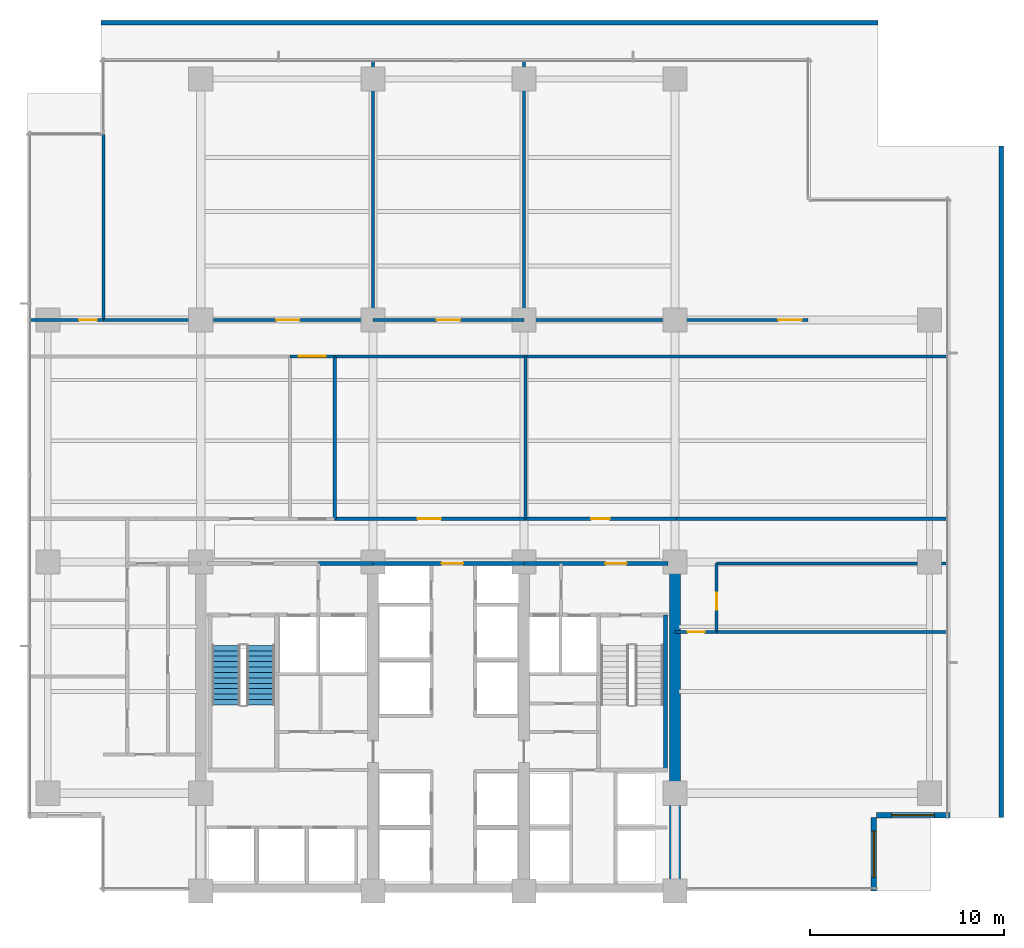
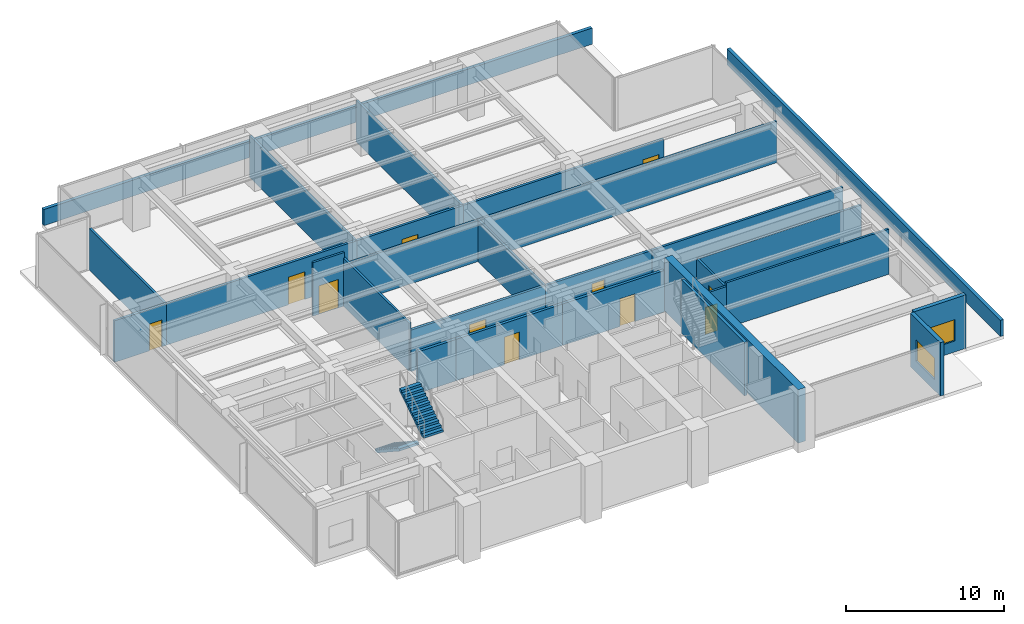
# One storey, part 10 of 16: 27 walls, 11 doors, 2 stair flights, 2 windows, 13 openings, 1 element without a shape of its own.
"""IFC4 building model written with IfcOpenShell, lengths in metres."""

from ifc_helpers import new_model, si_unit, direction, frame, frame_2d, origin, place, context, subcontext, project, spatial, polyline, rectangle, outline, extrude, material, layer, layer_set, type_object, element, fill, aggregate, save


model = new_model("IFC4")

# Units and contexts
model_context = context("Model", 3, precision=1e-05, world=origin(), true_north=direction((0.0, 1.0)))
body_context = subcontext(model_context, "Body", "Model", "MODEL_VIEW")
ifc_project = project(units=[si_unit("LENGTHUNIT", "METRE"), si_unit("AREAUNIT", "SQUARE_METRE"), si_unit("VOLUMEUNIT", "CUBIC_METRE"), si_unit("PLANEANGLEUNIT", "RADIAN"), si_unit("MASSUNIT", "GRAM", prefix="KILO")], contexts=[model_context])

# Site, building, storey
site_placement = place(None, origin())
site = spatial("IfcSite", under=ifc_project, at=site_placement, CompositionType="ELEMENT")
building_placement = place(site_placement, origin())
building = spatial("IfcBuilding", under=site, at=building_placement, Name="Qalmaran Belvedere Hotel", CompositionType="ELEMENT")
storey_placement = place(building_placement, frame((0.0, 0.0, 83.800048828125)))
storey = spatial("IfcBuildingStorey", under=building, at=storey_placement, Name="L20", CompositionType="ELEMENT", Elevation=83.800048828125)

# Wall
ifc_material_1 = material(Name="Concrete C60/75", Category="concrete")
ifc_layer_1 = layer(ifc_material_1, 0.550048828125, Name="Concrete C60/75")
ifc_layer_set_1 = layer_set([ifc_layer_1], Name="Concrete C60/75")
wall_type_1 = type_object("IfcWallType", Name="WL-CORE-550-C60", PredefinedType="SHEAR", material=ifc_layer_set_1)
wall_1_placement = place(storey_placement, frame((44.800048828125, 3.5, 0.0), z_axis=(0.0, 0.0, 1.0), x_axis=(0.0, 1.0, 0.0)))
element("IfcWall", 1, at=wall_1_placement, inside=storey, type_object=wall_type_1, Name="L20 East Core Shear Wall", PredefinedType="SHEAR", context=body_context, shape_type="SweptSolid", body=[
    extrude(rectangle(XDim=16.89990234375, YDim=0.550048828125, at=frame_2d((8.449951171875, 0.0))), origin(), (0.0, 0.0, 1.0), 4.139892578125),
])

# Wall, opening, window
ifc_material_2 = material(Name="Anodised Bronze Cladding")
ifc_layer_2 = layer(ifc_material_2, 0.280029296875, Name="Anodised Bronze Cladding")
ifc_layer_set_2 = layer_set([ifc_layer_2], Name="Anodised Bronze Cladding")
wall_type_2 = type_object("IfcWallType", Name="WL-EXT-BRNZ-280", PredefinedType="SOLIDWALL", material=ifc_layer_set_2)
wall_2_placement = place(storey_placement, frame((55.080078125, 3.5, 0.0), z_axis=(0.0, 0.0, 1.0), x_axis=(0.0, 1.0, 0.0)))
wall_2 = element("IfcWall", 2, at=wall_2_placement, inside=storey, type_object=wall_type_2, Name="L20 Corner Notch Wall 1", PredefinedType="SOLIDWALL", context=body_context, shape_type="SweptSolid", body=[
    extrude(rectangle(XDim=3.800048828125, YDim=0.280029296875, at=frame_2d((1.89990234375, 0.0))), origin(), (0.0, 0.0, 1.0), 4.139892578125),
])
opening_1_placement = place(wall_2_placement, frame((0.699951171875, 0.0, 0.85009765625)))
opening_1 = element("IfcOpeningElement", 3, at=opening_1_placement, cuts=wall_2, Name="Opening W-N24", PredefinedType="OPENING", context=body_context, shape_type="SweptSolid", body=[
    extrude(rectangle(XDim=2.39990234375, YDim=1.64990234375, at=frame_2d((1.199951171875, 0.824951171875))), frame((0.0, 0.14990234375, 0.0), z_axis=(0.0, -1.0, 0.0), x_axis=(1.0, 0.0, 0.0)), (0.0, 0.0, 1.0), 0.300048828125),
])
ifc_material_3 = material(Name="Solar-Control Double Glazing", Category="glass")
window_type_1 = type_object("IfcWindowType", Name="WN-NTC-2400X1650", PartitioningType="SINGLE_PANEL", PredefinedType="WINDOW", material=ifc_material_3)
window_1_placement = place(opening_1_placement, origin())
window_1 = element("IfcWindow", 4, at=window_1_placement, inside=storey, type_object=window_type_1, Name="L20 Corner Notch Window 1", OverallHeight=1.64990234375, OverallWidth=2.39990234375, PartitioningType="SINGLE_PANEL", PredefinedType="WINDOW", context=body_context, shape_type="SweptSolid", body=[
    extrude(rectangle(XDim=2.39990234375, YDim=1.64990234375, at=frame_2d((1.199951171875, 0.824951171875))), frame((0.0, 0.030029296875, 0.0), z_axis=(0.0, -1.0, 0.0), x_axis=(1.0, 0.0, 0.0)), (0.0, 0.0, 1.0), 0.06005859375),
])
fill(opening_1, window_1)

wall_3_placement = place(storey_placement, frame((55.199951171875, 7.419921875, 0.0), z_axis=(0.0, 0.0, 1.0), x_axis=(1.0, 0.0, 0.0)))
wall_3 = element("IfcWall", 5, at=wall_3_placement, inside=storey, type_object=wall_type_2, Name="L20 Corner Notch Wall 2", PredefinedType="SOLIDWALL", context=body_context, shape_type="SweptSolid", body=[
    extrude(rectangle(XDim=3.800048828125, YDim=0.280029296875, at=frame_2d((1.89990234375, 0.0))), origin(), (0.0, 0.0, 1.0), 4.139892578125),
])
opening_2_placement = place(wall_3_placement, frame((0.800048828125, 0.0, 0.85009765625)))
opening_2 = element("IfcOpeningElement", 6, at=opening_2_placement, cuts=wall_3, Name="Opening W-N22", PredefinedType="OPENING", context=body_context, shape_type="SweptSolid", body=[
    extrude(rectangle(XDim=2.199951171875, YDim=1.64990234375, at=frame_2d((1.10009765625, 0.824951171875))), frame((0.0, 0.14990234375, 0.0), z_axis=(0.0, -1.0, 0.0), x_axis=(1.0, 0.0, 0.0)), (0.0, 0.0, 1.0), 0.300048828125),
])
window_type_2 = type_object("IfcWindowType", Name="WN-NTC-2200X1650", PartitioningType="SINGLE_PANEL", PredefinedType="WINDOW", material=ifc_material_3)
window_2_placement = place(opening_2_placement, origin())
window_2 = element("IfcWindow", 7, at=window_2_placement, inside=storey, type_object=window_type_2, Name="L20 Corner Notch Window 2", OverallHeight=1.64990234375, OverallWidth=2.199951171875, PartitioningType="SINGLE_PANEL", PredefinedType="WINDOW", context=body_context, shape_type="SweptSolid", body=[
    extrude(rectangle(XDim=2.199951171875, YDim=1.64990234375, at=frame_2d((1.10009765625, 0.824951171875))), frame((0.0, 0.030029296875, 0.0), z_axis=(0.0, -1.0, 0.0), x_axis=(1.0, 0.0, 0.0)), (0.0, 0.0, 1.0), 0.06005859375),
])
fill(opening_2, window_2)

# Wall, opening, door
ifc_material_4 = material(Name="Gypsum Stud Partition")
ifc_layer_3 = layer(ifc_material_4, 0.159912109375, Name="Gypsum Stud Partition")
ifc_layer_set_3 = layer_set([ifc_layer_3], Name="Gypsum Stud Partition")
wall_type_3 = type_object("IfcWallType", Name="WL-INT-160-EI60", PredefinedType="PARTITIONING", material=ifc_layer_set_3)
wall_4_placement = place(storey_placement, frame((44.800048828125, 16.8798828125, 0.0), z_axis=(0.0, 0.0, 1.0), x_axis=(1.0, 0.0, 0.0)))
wall_4 = element("IfcWall", 8, at=wall_4_placement, inside=storey, type_object=wall_type_3, Name="L20 Partition WL-L20-ECE", PredefinedType="PARTITIONING", context=body_context, shape_type="SweptSolid", body=[
    extrude(rectangle(XDim=2.14990234375, YDim=0.159912109375, at=frame_2d((1.074951171875, 0.0))), origin(), (0.0, 0.0, 1.0), 3.212890625),
])
opening_3_placement = place(wall_4_placement, frame((1.52978515625, 0.0, 0.0), z_axis=(0.0, 0.0, 1.0), x_axis=(-1.0, 0.0, 0.0)))
opening_3 = element("IfcOpeningElement", 9, at=opening_3_placement, cuts=wall_4, Name="Opening FD60B", PredefinedType="OPENING", context=body_context, shape_type="SweptSolid", body=[
    extrude(rectangle(XDim=0.8798828125, YDim=2.080078125, at=frame_2d((0.43994140625, 1.0400390625))), frame((0.0, 0.08984375, 0.0), z_axis=(0.0, -1.0, 0.0), x_axis=(1.0, 0.0, 0.0)), (0.0, 0.0, 1.0), 0.179931640625),
])
ifc_material_5 = material(Name="Steel S355JR", Category="steel")
door_type_1 = type_object("IfcDoorType", Name="DR-FD60B-880X2080", OperationType="NOTDEFINED", PredefinedType="DOOR", material=ifc_material_5)
door_1_placement = place(opening_3_placement, origin())
door_1 = element("IfcDoor", 10, at=door_1_placement, inside=storey, type_object=door_type_1, Name="L20 Panoramic Tea Lounge Door", OperationType="SINGLE_SWING_LEFT", OverallHeight=2.080078125, OverallWidth=0.8798828125, PredefinedType="DOOR", context=body_context, shape_type="SweptSolid", body=[
    extrude(rectangle(XDim=0.8798828125, YDim=2.080078125, at=frame_2d((0.43994140625, 1.0400390625))), frame((0.0, 0.02490234375, 0.0), z_axis=(0.0, -1.0, 0.0), x_axis=(1.0, 0.0, 0.0)), (0.0, 0.0, 1.0), 0.050048828125),
])
fill(opening_3, door_1)

wall_5_placement = place(storey_placement, frame((46.949951171875, 16.8798828125, 0.0), z_axis=(0.0, 0.0, 1.0), x_axis=(0.0, 1.0, 0.0)))
wall_5 = element("IfcWall", 11, at=wall_5_placement, inside=storey, type_object=wall_type_3, Name="L20 Partition WL-L20-ECEV", PredefinedType="PARTITIONING", context=body_context, shape_type="SweptSolid", body=[
    extrude(rectangle(XDim=3.5400390625, YDim=0.159912109375, at=frame_2d((1.77001953125, 0.0))), origin(), (0.0, 0.0, 1.0), 3.212890625),
])
opening_4_placement = place(wall_5_placement, frame((2.02978515625, 0.0, 0.0), z_axis=(0.0, 0.0, 1.0), x_axis=(-1.0, 0.0, 0.0)))
opening_4 = element("IfcOpeningElement", 12, at=opening_4_placement, cuts=wall_5, Name="Opening FD60B", PredefinedType="OPENING", context=body_context, shape_type="SweptSolid", body=[
    extrude(rectangle(XDim=0.8798828125, YDim=2.080078125, at=frame_2d((0.43994140625, 1.0400390625))), frame((0.0, 0.08984375, 0.0), z_axis=(0.0, -1.0, 0.0), x_axis=(1.0, 0.0, 0.0)), (0.0, 0.0, 1.0), 0.179931640625),
])
door_2_placement = place(opening_4_placement, origin())
door_2 = element("IfcDoor", 13, at=door_2_placement, inside=storey, type_object=door_type_1, Name="L20 East Sky Study Door", OperationType="SINGLE_SWING_RIGHT", OverallHeight=2.080078125, OverallWidth=0.8798828125, PredefinedType="DOOR", context=body_context, shape_type="SweptSolid", body=[
    extrude(rectangle(XDim=0.8798828125, YDim=2.080078125, at=frame_2d((0.43994140625, 1.0400390625))), frame((0.0, 0.02490234375, 0.0), z_axis=(0.0, -1.0, 0.0), x_axis=(1.0, 0.0, 0.0)), (0.0, 0.0, 1.0), 0.050048828125),
])
fill(opening_4, door_2)

# Walls
wall_6_placement = place(storey_placement, frame((46.949951171875, 16.8798828125, 0.0), z_axis=(0.0, 0.0, 1.0), x_axis=(1.0, 0.0, 0.0)))
element("IfcWall", 14, at=wall_6_placement, inside=storey, type_object=wall_type_3, Name="L20 Partition WL-L20-ECEH", PredefinedType="PARTITIONING", context=body_context, shape_type="SweptSolid", body=[
    extrude(rectangle(XDim=11.929931640625, YDim=0.159912109375, at=frame_2d((5.96484375, 0.0))), origin(), (0.0, 0.0, 1.0), 3.5029296875),
])
wall_7_placement = place(storey_placement, frame((46.949951171875, 20.419921875, 0.0), z_axis=(0.0, 0.0, 1.0), x_axis=(1.0, 0.0, 0.0)))
element("IfcWall", 15, at=wall_7_placement, inside=storey, type_object=wall_type_3, Name="L20 Partition WL-L20-ECET", PredefinedType="PARTITIONING", context=body_context, shape_type="SweptSolid", body=[
    extrude(rectangle(XDim=11.929931640625, YDim=0.159912109375, at=frame_2d((5.96484375, 0.0))), origin(), (0.0, 0.0, 1.0), 3.212890625),
])
wall_8_placement = place(storey_placement, frame((15.27001953125, 33.0, 0.0), z_axis=(0.0, 0.0, 1.0), x_axis=(0.0, 1.0, 0.0)))
element("IfcWall", 16, at=wall_8_placement, inside=storey, type_object=wall_type_3, Name="L20 Partition WL-L20-VNWE", PredefinedType="PARTITIONING", context=body_context, shape_type="SweptSolid", body=[
    extrude(rectangle(XDim=9.580078125, YDim=0.159912109375, at=frame_2d((4.7900390625, 0.0))), origin(), (0.0, 0.0, 1.0), 3.212890625),
])
wall_9_placement = place(storey_placement, frame((27.219970703125, 22.719970703125, 0.0), z_axis=(0.0, 0.0, 1.0), x_axis=(0.0, 1.0, 0.0)))
element("IfcWall", 17, at=wall_9_placement, inside=storey, type_object=wall_type_3, Name="L20 Partition WL-L20-NPE", PredefinedType="PARTITIONING", context=body_context, shape_type="SweptSolid", body=[
    extrude(rectangle(XDim=8.400146484375, YDim=0.159912109375, at=frame_2d((4.2001953125, 0.0))), origin(), (0.0, 0.0, 1.0), 3.718017578125),
])

# Wall, opening, door
wall_10_placement = place(storey_placement, frame((24.919921875, 31.1201171875, 0.0), z_axis=(0.0, 0.0, 1.0), x_axis=(1.0, 0.0, 0.0)))
wall_10 = element("IfcWall", 18, at=wall_10_placement, inside=storey, type_object=wall_type_3, Name="L20 Partition WL-L20-XNPN", PredefinedType="PARTITIONING", context=body_context, shape_type="SweptSolid", body=[
    extrude(rectangle(XDim=2.300048828125, YDim=0.159912109375, at=frame_2d((1.14990234375, 0.0))), origin(), (0.0, 0.0, 1.0), 4.139892578125),
])
opening_5_placement = place(wall_10_placement, frame((0.449951171875, 0.0, 0.0)))
opening_5 = element("IfcOpeningElement", 19, at=opening_5_placement, cuts=wall_10, Name="Opening FD90D", PredefinedType="OPENING", context=body_context, shape_type="SweptSolid", body=[
    extrude(rectangle(XDim=1.39990234375, YDim=2.199951171875, at=frame_2d((0.699951171875, 1.10009765625))), frame((0.0, 0.08984375, 0.0), z_axis=(0.0, -1.0, 0.0), x_axis=(1.0, 0.0, 0.0)), (0.0, 0.0, 1.0), 0.179931640625),
])
door_type_2 = type_object("IfcDoorType", Name="DR-FD90D-1400X2200", OperationType="NOTDEFINED", PredefinedType="DOOR", material=ifc_material_5)
door_3_placement = place(opening_5_placement, origin())
door_3 = element("IfcDoor", 20, at=door_3_placement, inside=storey, type_object=door_type_2, Name="L20 Promenade North Door", OperationType="DOUBLE_DOOR_SINGLE_SWING", OverallHeight=2.199951171875, OverallWidth=1.39990234375, PredefinedType="DOOR", context=body_context, shape_type="SweptSolid", body=[
    extrude(rectangle(XDim=1.39990234375, YDim=2.199951171875, at=frame_2d((0.699951171875, 1.10009765625))), frame((0.0, 0.02490234375, 0.0), z_axis=(0.0, -1.0, 0.0), x_axis=(1.0, 0.0, 0.0)), (0.0, 0.0, 1.0), 0.050048828125),
])
fill(opening_5, door_3)

# Walls
wall_11_placement = place(storey_placement, frame((27.219970703125, 31.1201171875, 0.0), z_axis=(0.0, 0.0, 1.0), x_axis=(1.0, 0.0, 0.0)))
element("IfcWall", 21, at=wall_11_placement, inside=storey, type_object=wall_type_3, Name="L20 Partition WL-L20-NGS2", PredefinedType="PARTITIONING", context=body_context, shape_type="SweptSolid", body=[
    extrude(rectangle(XDim=31.659912109375, YDim=0.159912109375, at=frame_2d((15.830078125, 0.0))), origin(), (0.0, 0.0, 1.0), 3.212890625),
])
wall_12_placement = place(storey_placement, frame((37.080078125, 22.719970703125, 0.0), z_axis=(0.0, 0.0, 1.0), x_axis=(0.0, 1.0, 0.0)))
element("IfcWall", 22, at=wall_12_placement, inside=storey, type_object=wall_type_3, Name="L20 Partition WL-L20-MCV", PredefinedType="PARTITIONING", context=body_context, shape_type="SweptSolid", body=[
    extrude(rectangle(XDim=8.400146484375, YDim=0.159912109375, at=frame_2d((4.2001953125, 0.0))), origin(), (0.0, 0.0, 1.0), 3.212890625),
])
for number, where, z_axis, x_axis, name in (
    (23, (29.199951171875, 33.0, 0.0), (0.0, 0.0, 1.0), (0.0, 1.0, 0.0), "L20 Partition WL-L20-NFV1"),
    (24, (37.0, 33.0, 0.0), (0.0, 0.0, 1.0), (0.0, 1.0, 0.0), "L20 Partition WL-L20-NFV2"),
):
    element("IfcWall", number, at=place(storey_placement, frame(where, z_axis=z_axis, x_axis=x_axis)), inside=storey, type_object=wall_type_3, Name=name, PredefinedType="PARTITIONING", context=body_context, shape_type="SweptSolid", body=[
        extrude(rectangle(XDim=13.3798828125, YDim=0.159912109375, at=frame_2d((6.68994140625, 0.0))), origin(), (0.0, 0.0, 1.0), 3.212890625),
    ])

# Wall, opening, door
ifc_layer_4 = layer(ifc_material_4, 0.179931640625, Name="Gypsum Stud Partition")
ifc_layer_set_4 = layer_set([ifc_layer_4], Name="Gypsum Stud Partition")
wall_type_4 = type_object("IfcWallType", Name="WL-INT-180-EI60", PredefinedType="PARTITIONING", material=ifc_layer_set_4)
wall_13_placement = place(storey_placement, frame((11.469970703125, 33.0, 0.0), z_axis=(0.0, 0.0, 1.0), x_axis=(1.0, 0.0, 0.0)))
wall_13 = element("IfcWall", 25, at=wall_13_placement, inside=storey, type_object=wall_type_4, Name="L20 Partition WL-L20-VNWS", PredefinedType="PARTITIONING", context=body_context, shape_type="SweptSolid", body=[
    extrude(rectangle(XDim=3.800048828125, YDim=0.179931640625, at=frame_2d((1.89990234375, 0.0))), origin(), (0.0, 0.0, 1.0), 3.212890625),
])
opening_6_placement = place(wall_13_placement, frame((2.543701171875, 0.0, 0.0)))
opening_6 = element("IfcOpeningElement", 26, at=opening_6_placement, cuts=wall_13, Name="Opening FD60S1", PredefinedType="OPENING", context=body_context, shape_type="SweptSolid", body=[
    extrude(rectangle(XDim=0.919921875, YDim=2.080078125, at=frame_2d((0.4599609375, 1.0400390625))), frame((0.0, 0.10009765625, 0.0), z_axis=(0.0, -1.0, 0.0), x_axis=(1.0, 0.0, 0.0)), (0.0, 0.0, 1.0), 0.199951171875),
])
ifc_material_6 = material(Name="Engineered Oak Veneer")
door_type_3 = type_object("IfcDoorType", Name="DR-FD60S-920X2080", OperationType="NOTDEFINED", PredefinedType="DOOR", material=ifc_material_6)
door_4_placement = place(opening_6_placement, origin())
door_4 = element("IfcDoor", 27, at=door_4_placement, inside=storey, type_object=door_type_3, Name="L20 NW Sky Salon Door", OperationType="SINGLE_SWING_LEFT", OverallHeight=2.080078125, OverallWidth=0.919921875, PredefinedType="DOOR", context=body_context, shape_type="SweptSolid", body=[
    extrude(rectangle(XDim=0.919921875, YDim=2.080078125, at=frame_2d((0.4599609375, 1.0400390625))), frame((0.0, 0.02490234375, 0.0), z_axis=(0.0, -1.0, 0.0), x_axis=(1.0, 0.0, 0.0)), (0.0, 0.0, 1.0), 0.050048828125),
])
fill(opening_6, door_4)

wall_14_placement = place(storey_placement, frame((27.219970703125, 22.719970703125, 0.0), z_axis=(0.0, 0.0, 1.0), x_axis=(1.0, 0.0, 0.0)))
wall_14 = element("IfcWall", 28, at=wall_14_placement, inside=storey, type_object=wall_type_4, Name="L20 Partition WL-L20-MCS2A", PredefinedType="PARTITIONING", context=body_context, shape_type="SweptSolid", body=[
    extrude(rectangle(XDim=9.860107421875, YDim=0.179931640625, at=frame_2d((4.93017578125, 0.0))), origin(), (0.0, 0.0, 1.0), 3.212890625),
])
opening_7_placement = place(wall_14_placement, frame((4.2900390625, 0.0, 0.0)))
opening_7 = element("IfcOpeningElement", 29, at=opening_7_placement, cuts=wall_14, Name="Opening FD60P", PredefinedType="OPENING", context=body_context, shape_type="SweptSolid", body=[
    extrude(rectangle(XDim=1.199951171875, YDim=2.139892578125, at=frame_2d((0.60009765625, 1.06982421875))), frame((0.0, 0.10009765625, 0.0), z_axis=(0.0, -1.0, 0.0), x_axis=(1.0, 0.0, 0.0)), (0.0, 0.0, 1.0), 0.199951171875),
])
door_type_4 = type_object("IfcDoorType", Name="DR-FD60P-1200X2140", OperationType="NOTDEFINED", PredefinedType="DOOR", material=ifc_material_6)
door_5_placement = place(opening_7_placement, origin())
door_5 = element("IfcDoor", 30, at=door_5_placement, inside=storey, type_object=door_type_4, Name="L20 Executive Business Meeting Hall Door", OperationType="DOUBLE_DOOR_SINGLE_SWING", OverallHeight=2.139892578125, OverallWidth=1.199951171875, PredefinedType="DOOR", context=body_context, shape_type="SweptSolid", body=[
    extrude(rectangle(XDim=1.199951171875, YDim=2.139892578125, at=frame_2d((0.60009765625, 1.06982421875))), frame((0.0, 0.02490234375, 0.0), z_axis=(0.0, -1.0, 0.0), x_axis=(1.0, 0.0, 0.0)), (0.0, 0.0, 1.0), 0.050048828125),
])
fill(opening_7, door_5)

wall_15_placement = place(storey_placement, frame((37.080078125, 22.719970703125, 0.0), z_axis=(0.0, 0.0, 1.0), x_axis=(1.0, 0.0, 0.0)))
wall_15 = element("IfcWall", 31, at=wall_15_placement, inside=storey, type_object=wall_type_4, Name="L20 Partition WL-L20-MCS2B", PredefinedType="PARTITIONING", context=body_context, shape_type="SweptSolid", body=[
    extrude(rectangle(XDim=7.7998046875, YDim=0.179931640625, at=frame_2d((3.89990234375, 0.0))), origin(), (0.0, 0.0, 1.0), 3.212890625),
])
opening_8_placement = place(wall_15_placement, frame((3.389892578125, 0.0, 0.0)))
opening_8 = element("IfcOpeningElement", 32, at=opening_8_placement, cuts=wall_15, Name="Opening FD60", PredefinedType="OPENING", context=body_context, shape_type="SweptSolid", body=[
    extrude(rectangle(XDim=0.949951171875, YDim=2.14990234375, at=frame_2d((0.47509765625, 1.074951171875))), frame((0.0, 0.10009765625, 0.0), z_axis=(0.0, -1.0, 0.0), x_axis=(1.0, 0.0, 0.0)), (0.0, 0.0, 1.0), 0.199951171875),
])
door_type_5 = type_object("IfcDoorType", Name="DR-FD60-950X2150", OperationType="NOTDEFINED", PredefinedType="DOOR", material=ifc_material_6)
door_6_placement = place(opening_8_placement, origin())
door_6 = element("IfcDoor", 33, at=door_6_placement, inside=storey, type_object=door_type_5, Name="L20 East Lounge Door", OperationType="SINGLE_SWING_RIGHT", OverallHeight=2.14990234375, OverallWidth=0.949951171875, PredefinedType="DOOR", context=body_context, shape_type="SweptSolid", body=[
    extrude(rectangle(XDim=0.949951171875, YDim=2.14990234375, at=frame_2d((0.47509765625, 1.074951171875))), frame((0.0, 0.02490234375, 0.0), z_axis=(0.0, -1.0, 0.0), x_axis=(1.0, 0.0, 0.0)), (0.0, 0.0, 1.0), 0.050048828125),
])
fill(opening_8, door_6)

# Wall
wall_16_placement = place(storey_placement, frame((44.8798828125, 22.719970703125, 0.0), z_axis=(0.0, 0.0, 1.0), x_axis=(1.0, 0.0, 0.0)))
element("IfcWall", 34, at=wall_16_placement, inside=storey, type_object=wall_type_4, Name="L20 Partition WL-L20-MCS2C", PredefinedType="PARTITIONING", context=body_context, shape_type="SweptSolid", body=[
    extrude(rectangle(XDim=14.0, YDim=0.179931640625, at=frame_2d((7.0, 0.0))), origin(), (0.0, 0.0, 1.0), 3.212890625),
])

# Wall, opening, door
wall_17_placement = place(storey_placement, frame((15.27001953125, 33.0, 0.0), z_axis=(0.0, 0.0, 1.0), x_axis=(1.0, 0.0, 0.0)))
wall_17 = element("IfcWall", 35, at=wall_17_placement, inside=storey, type_object=wall_type_4, Name="L20 Partition WL-L20-NF33D1", PredefinedType="PARTITIONING", context=body_context, shape_type="SweptSolid", body=[
    extrude(rectangle(XDim=13.929931640625, YDim=0.179931640625, at=frame_2d((6.96484375, 0.0))), origin(), (0.0, 0.0, 1.0), 3.212890625),
])
opening_9_placement = place(wall_17_placement, frame((8.930419921875, 0.0, 0.0)))
opening_9 = element("IfcOpeningElement", 36, at=opening_9_placement, cuts=wall_17, Name="Opening FD60P", PredefinedType="OPENING", context=body_context, shape_type="SweptSolid", body=[
    extrude(rectangle(XDim=1.199951171875, YDim=2.139892578125, at=frame_2d((0.60009765625, 1.06982421875))), frame((0.0, 0.10009765625, 0.0), z_axis=(0.0, -1.0, 0.0), x_axis=(1.0, 0.0, 0.0)), (0.0, 0.0, 1.0), 0.199951171875),
])
door_7_placement = place(opening_9_placement, origin())
door_7 = element("IfcDoor", 37, at=door_7_placement, inside=storey, type_object=door_type_4, Name="L20 Sky Panoramic Lounge West Door", OperationType="DOUBLE_DOOR_SINGLE_SWING", OverallHeight=2.139892578125, OverallWidth=1.199951171875, PredefinedType="DOOR", context=body_context, shape_type="SweptSolid", body=[
    extrude(rectangle(XDim=1.199951171875, YDim=2.139892578125, at=frame_2d((0.60009765625, 1.06982421875))), frame((0.0, 0.02490234375, 0.0), z_axis=(0.0, -1.0, 0.0), x_axis=(1.0, 0.0, 0.0)), (0.0, 0.0, 1.0), 0.050048828125),
])
fill(opening_9, door_7)

wall_18_placement = place(storey_placement, frame((29.199951171875, 33.0, 0.0), z_axis=(0.0, 0.0, 1.0), x_axis=(1.0, 0.0, 0.0)))
wall_18 = element("IfcWall", 38, at=wall_18_placement, inside=storey, type_object=wall_type_4, Name="L20 Partition WL-L20-NF33D2", PredefinedType="PARTITIONING", context=body_context, shape_type="SweptSolid", body=[
    extrude(rectangle(XDim=7.800048828125, YDim=0.179931640625, at=frame_2d((3.89990234375, 0.0))), origin(), (0.0, 0.0, 1.0), 3.212890625),
])
opening_10_placement = place(wall_18_placement, frame((3.300048828125, 0.0, 0.0)))
opening_10 = element("IfcOpeningElement", 39, at=opening_10_placement, cuts=wall_18, Name="Opening FD60P", PredefinedType="OPENING", context=body_context, shape_type="SweptSolid", body=[
    extrude(rectangle(XDim=1.199951171875, YDim=2.139892578125, at=frame_2d((0.60009765625, 1.06982421875))), frame((0.0, 0.10009765625, 0.0), z_axis=(0.0, -1.0, 0.0), x_axis=(1.0, 0.0, 0.0)), (0.0, 0.0, 1.0), 0.199951171875),
])
door_8_placement = place(opening_10_placement, origin())
door_8 = element("IfcDoor", 40, at=door_8_placement, inside=storey, type_object=door_type_4, Name="L20 Sky Belvedere Cafe Door", OperationType="DOUBLE_DOOR_SINGLE_SWING", OverallHeight=2.139892578125, OverallWidth=1.199951171875, PredefinedType="DOOR", context=body_context, shape_type="SweptSolid", body=[
    extrude(rectangle(XDim=1.199951171875, YDim=2.139892578125, at=frame_2d((0.60009765625, 1.06982421875))), frame((0.0, 0.02490234375, 0.0), z_axis=(0.0, -1.0, 0.0), x_axis=(1.0, 0.0, 0.0)), (0.0, 0.0, 1.0), 0.050048828125),
])
fill(opening_10, door_8)

wall_19_placement = place(storey_placement, frame((37.0, 33.0, 0.0), z_axis=(0.0, 0.0, 1.0), x_axis=(1.0, 0.0, 0.0)))
wall_19 = element("IfcWall", 41, at=wall_19_placement, inside=storey, type_object=wall_type_4, Name="L20 Partition WL-L20-NF33D3", PredefinedType="PARTITIONING", context=body_context, shape_type="SweptSolid", body=[
    extrude(rectangle(XDim=14.679931640625, YDim=0.179931640625, at=frame_2d((7.33984375, 0.0))), origin(), (0.0, 0.0, 1.0), 3.212890625),
])
opening_11_placement = place(wall_19_placement, frame((13.140380859375, 0.0, 0.0)))
opening_11 = element("IfcOpeningElement", 42, at=opening_11_placement, cuts=wall_19, Name="Opening FD60P", PredefinedType="OPENING", context=body_context, shape_type="SweptSolid", body=[
    extrude(rectangle(XDim=1.199951171875, YDim=2.139892578125, at=frame_2d((0.60009765625, 1.06982421875))), frame((0.0, 0.10009765625, 0.0), z_axis=(0.0, -1.0, 0.0), x_axis=(1.0, 0.0, 0.0)), (0.0, 0.0, 1.0), 0.199951171875),
])
door_9_placement = place(opening_11_placement, origin())
door_9 = element("IfcDoor", 43, at=door_9_placement, inside=storey, type_object=door_type_4, Name="L20 Sky Panoramic Lounge East Door", OperationType="DOUBLE_DOOR_SINGLE_SWING", OverallHeight=2.139892578125, OverallWidth=1.199951171875, PredefinedType="DOOR", context=body_context, shape_type="SweptSolid", body=[
    extrude(rectangle(XDim=1.199951171875, YDim=2.139892578125, at=frame_2d((0.60009765625, 1.06982421875))), frame((0.0, 0.02490234375, 0.0), z_axis=(0.0, -1.0, 0.0), x_axis=(1.0, 0.0, 0.0)), (0.0, 0.0, 1.0), 0.050048828125),
])
fill(opening_11, door_9)

# Wall
ifc_material_7 = material(Name="Concrete C30/37 Blockwork", Category="masonry")
ifc_layer_5 = layer(ifc_material_7, 0.199951171875, Name="Concrete C30/37 Blockwork")
ifc_layer_set_5 = layer_set([ifc_layer_5], Name="Concrete C30/37 Blockwork")
wall_type_5 = type_object("IfcWallType", Name="WL-INT-200-EI120", PredefinedType="PARTITIONING", material=ifc_layer_set_5)
wall_20_placement = place(storey_placement, frame((26.3798828125, 20.419921875, 0.0), z_axis=(0.0, 0.0, 1.0), x_axis=(1.0, 0.0, 0.0)))
element("IfcWall", 44, at=wall_20_placement, inside=storey, type_object=wall_type_5, Name="L20 Partition WL-CN1B-L20", PredefinedType="PARTITIONING", context=body_context, shape_type="SweptSolid", body=[
    extrude(rectangle(XDim=2.820068359375, YDim=0.199951171875, at=frame_2d((1.41015625, 0.0))), origin(), (0.0, 0.0, 1.0), 3.212890625),
])

# Wall, opening, door
wall_21_placement = place(storey_placement, frame((29.199951171875, 20.419921875, 0.0), z_axis=(0.0, 0.0, 1.0), x_axis=(1.0, 0.0, 0.0)))
wall_21 = element("IfcWall", 45, at=wall_21_placement, inside=storey, type_object=wall_type_5, Name="L20 Partition WL-CN2-L20", PredefinedType="PARTITIONING", context=body_context, shape_type="SweptSolid", body=[
    extrude(rectangle(XDim=7.800048828125, YDim=0.199951171875, at=frame_2d((3.89990234375, 0.0))), origin(), (0.0, 0.0, 1.0), 3.212890625),
])
opening_12_placement = place(wall_21_placement, frame((3.550048828125, 0.0, 0.0)))
opening_12 = element("IfcOpeningElement", 46, at=opening_12_placement, cuts=wall_21, Name="Opening FD90", PredefinedType="OPENING", context=body_context, shape_type="SweptSolid", body=[
    extrude(rectangle(XDim=1.10009765625, YDim=2.14990234375, at=frame_2d((0.550048828125, 1.074951171875))), frame((0.0, 0.10986328125, 0.0), z_axis=(0.0, -1.0, 0.0), x_axis=(1.0, 0.0, 0.0)), (0.0, 0.0, 1.0), 0.219970703125),
])
door_type_6 = type_object("IfcDoorType", Name="DR-FD90-1100X2150", OperationType="NOTDEFINED", PredefinedType="DOOR", material=ifc_material_5)
door_10_placement = place(opening_12_placement, origin())
door_10 = element("IfcDoor", 47, at=door_10_placement, inside=storey, type_object=door_type_6, Name="L20 Central Lift Lobby Door", OperationType="SINGLE_SWING_LEFT", OverallHeight=2.14990234375, OverallWidth=1.10009765625, PredefinedType="DOOR", context=body_context, shape_type="SweptSolid", body=[
    extrude(rectangle(XDim=1.10009765625, YDim=2.14990234375, at=frame_2d((0.550048828125, 1.074951171875))), frame((0.0, 0.02490234375, 0.0), z_axis=(0.0, -1.0, 0.0), x_axis=(1.0, 0.0, 0.0)), (0.0, 0.0, 1.0), 0.050048828125),
])
fill(opening_12, door_10)

wall_22_placement = place(storey_placement, frame((37.0, 20.419921875, 0.0), z_axis=(0.0, 0.0, 1.0), x_axis=(1.0, 0.0, 0.0)))
wall_22 = element("IfcWall", 48, at=wall_22_placement, inside=storey, type_object=wall_type_5, Name="L20 Partition WL-CN3-L20", PredefinedType="PARTITIONING", context=body_context, shape_type="SweptSolid", body=[
    extrude(rectangle(XDim=7.449951171875, YDim=0.199951171875, at=frame_2d((3.72509765625, 0.0))), origin(), (0.0, 0.0, 1.0), 3.212890625),
])
opening_13_placement = place(wall_22_placement, frame((4.199951171875, 0.0, 0.0)))
opening_13 = element("IfcOpeningElement", 49, at=opening_13_placement, cuts=wall_22, Name="Opening FD90", PredefinedType="OPENING", context=body_context, shape_type="SweptSolid", body=[
    extrude(rectangle(XDim=1.10009765625, YDim=2.14990234375, at=frame_2d((0.550048828125, 1.074951171875))), frame((0.0, 0.10986328125, 0.0), z_axis=(0.0, -1.0, 0.0), x_axis=(1.0, 0.0, 0.0)), (0.0, 0.0, 1.0), 0.219970703125),
])
door_11_placement = place(opening_13_placement, origin())
door_11 = element("IfcDoor", 50, at=door_11_placement, inside=storey, type_object=door_type_6, Name="L20 FF2 Lobby Corridor Door", OperationType="SINGLE_SWING_RIGHT", OverallHeight=2.14990234375, OverallWidth=1.10009765625, PredefinedType="DOOR", context=body_context, shape_type="SweptSolid", body=[
    extrude(rectangle(XDim=1.10009765625, YDim=2.14990234375, at=frame_2d((0.550048828125, 1.074951171875))), frame((0.0, 0.02490234375, 0.0), z_axis=(0.0, -1.0, 0.0), x_axis=(1.0, 0.0, 0.0)), (0.0, 0.0, 1.0), 0.050048828125),
])
fill(opening_13, door_11)

# Walls
ifc_material_8 = material(Name="Concrete C40/50", Category="concrete")
ifc_layer_6 = layer(ifc_material_8, 0.239990234375, Name="Concrete C40/50")
ifc_layer_set_6 = layer_set([ifc_layer_6], Name="Concrete C40/50")
wall_type_6 = type_object("IfcWallType", Name="WL-PARAPET-240", PredefinedType="PARAPET", material=ifc_layer_set_6)
wall_23_placement = place(storey_placement, frame((61.659912109375, 7.300048828125, 0.0), z_axis=(0.0, 0.0, 1.0), x_axis=(0.0, 1.0, 0.0)))
element("IfcWall", 51, at=wall_23_placement, inside=storey, type_object=wall_type_6, Name="L20 Roof Parapet 4", PredefinedType="PARAPET", context=body_context, shape_type="SweptSolid", body=[
    extrude(rectangle(XDim=34.699951171875, YDim=0.239990234375, at=frame_2d((17.35009765625, 0.0))), origin(), (0.0, 0.0, 1.0), 1.25),
])
wall_24_placement = place(storey_placement, frame((55.300048828125, 48.360107421875, 0.0), z_axis=(0.0, 0.0, 1.0), x_axis=(-1.0, 0.0, 0.0)))
element("IfcWall", 52, at=wall_24_placement, inside=storey, type_object=wall_type_6, Name="L20 Roof Parapet 7", PredefinedType="PARAPET", context=body_context, shape_type="SweptSolid", body=[
    extrude(rectangle(XDim=40.150146484375, YDim=0.239990234375, at=frame_2d((20.0751953125, 0.0))), origin(), (0.0, 0.0, 1.0), 1.25),
])
ifc_material_9 = material(Name="Concrete C50/60", Category="concrete")
ifc_layer_7 = layer(ifc_material_9, 0.2099609375, Name="Concrete C50/60")
ifc_layer_set_7 = layer_set([ifc_layer_7], Name="Concrete C50/60")
wall_type_7 = type_object("IfcWallType", Name="WL-STAIR-210-C50", PredefinedType="SHEAR", material=ifc_layer_set_7)
wall_25_placement = place(storey_placement, frame((44.304931640625, 9.7451171875, 0.0), z_axis=(0.0, 0.0, 1.0), x_axis=(0.0, 1.0, 0.0)))
element("IfcWall", 53, at=wall_25_placement, inside=storey, type_object=wall_type_7, Name="L20 Stair ST-2 East Bearing Wall", PredefinedType="SHEAR", context=body_context, shape_type="SweptSolid", body=[
    extrude(rectangle(XDim=8.009765625, YDim=0.2099609375, at=frame_2d((4.0048828125, 0.0))), origin(), (0.0, 0.0, 1.0), 4.139892578125),
])

# Stair, stair flights
stair_type = type_object("IfcStairType", Name="STR-ST-1-1450-R1833", PredefinedType="HALF_TURN_STAIR", material=ifc_material_8)
stair_placement = place(storey_placement, origin())
stair = element("IfcStair", 54, at=stair_placement, inside=storey, type_object=stair_type, Name="L20 West Core Exit Stair ST-1", PredefinedType="HALF_TURN_STAIR")
ifc_layer_8 = layer(ifc_material_8, 0.14990234375, Name="Concrete C40/50")
ifc_layer_set_8 = layer_set([ifc_layer_8], Name="Concrete C40/50")
stair_flight_type = type_object("IfcStairFlightType", Name="STF-ST-1-1450-R1833", PredefinedType="STRAIGHT", material=ifc_layer_set_8)
stair_flight_1_placement = place(storey_placement, frame((21.60498046875, 16.18994140625, 0.0), z_axis=(0.0, 0.0, 1.0), x_axis=(0.0, -1.0, 0.0)))
stair_flight_1 = element("IfcStairFlight", 55, at=stair_flight_1_placement, type_object=stair_flight_type, Name="ST-1 flight 1", NumberOfRisers=12, NumberOfTreads=11, PredefinedType="STRAIGHT", RiserHeight=0.183333333, TreadLength=0.28, context=body_context, shape_type="SweptSolid", body=[
    extrude(outline(polyline([(0.0, 0.0), (0.0, 0.183349609375), (0.280029296875, 0.183349609375), (0.280029296875, 0.36669921875), (0.56005859375, 0.36669921875), (0.56005859375, 0.550048828125), (0.840087890625, 0.550048828125), (0.840087890625, 0.7333984375), (1.1201171875, 0.7333984375), (1.1201171875, 0.916748046875), (1.39990234375, 0.916748046875), (1.39990234375, 1.10009765625), (1.679931640625, 1.10009765625), (1.679931640625, 1.283447265625), (1.9599609375, 1.283447265625), (1.9599609375, 1.466552734375), (2.239990234375, 1.466552734375), (2.239990234375, 1.64990234375), (2.52001953125, 1.64990234375), (2.52001953125, 1.833251953125), (2.800048828125, 1.833251953125), (2.800048828125, 2.0166015625), (3.080078125, 2.0166015625), (3.080078125, 2.199951171875), (3.080078125, 1.83740234375), (0.273681640625, 0.0), (0.0, 0.0)])), frame((0.0, 0.72509765625, 0.0), z_axis=(0.0, -1.0, 0.0), x_axis=(1.0, 0.0, 0.0)), (0.0, 0.0, 1.0), 1.449951171875),
])
stair_flight_2_placement = place(storey_placement, frame((23.39501953125, 13.110107421875, 2.199951171875), z_axis=(0.0, 0.0, 1.0), x_axis=(0.0, 1.0, 0.0)))
stair_flight_2 = element("IfcStairFlight", 56, at=stair_flight_2_placement, type_object=stair_flight_type, Name="ST-1 flight 2", NumberOfRisers=12, NumberOfTreads=11, PredefinedType="STRAIGHT", RiserHeight=0.183333333, TreadLength=0.28, context=body_context, shape_type="SweptSolid", body=[
    extrude(outline(polyline([(0.0, 0.0), (0.0, 0.183349609375), (0.280029296875, 0.183349609375), (0.280029296875, 0.36669921875), (0.56005859375, 0.36669921875), (0.56005859375, 0.550048828125), (0.840087890625, 0.550048828125), (0.840087890625, 0.7333984375), (1.1201171875, 0.7333984375), (1.1201171875, 0.916748046875), (1.39990234375, 0.916748046875), (1.39990234375, 1.10009765625), (1.679931640625, 1.10009765625), (1.679931640625, 1.283447265625), (1.9599609375, 1.283447265625), (1.9599609375, 1.466552734375), (2.239990234375, 1.466552734375), (2.239990234375, 1.64990234375), (2.52001953125, 1.64990234375), (2.52001953125, 1.833251953125), (2.800048828125, 1.833251953125), (2.800048828125, 2.0166015625), (3.080078125, 2.0166015625), (3.080078125, 2.199951171875), (3.080078125, 1.83740234375), (0.273681640625, 0.0), (0.0, 0.0)])), frame((0.0, 0.72509765625, 0.0), z_axis=(0.0, -1.0, 0.0), x_axis=(1.0, 0.0, 0.0)), (0.0, 0.0, 1.0), 1.449951171875),
])
aggregate(stair, [stair_flight_1, stair_flight_2])

save(model, "model.ifc")
